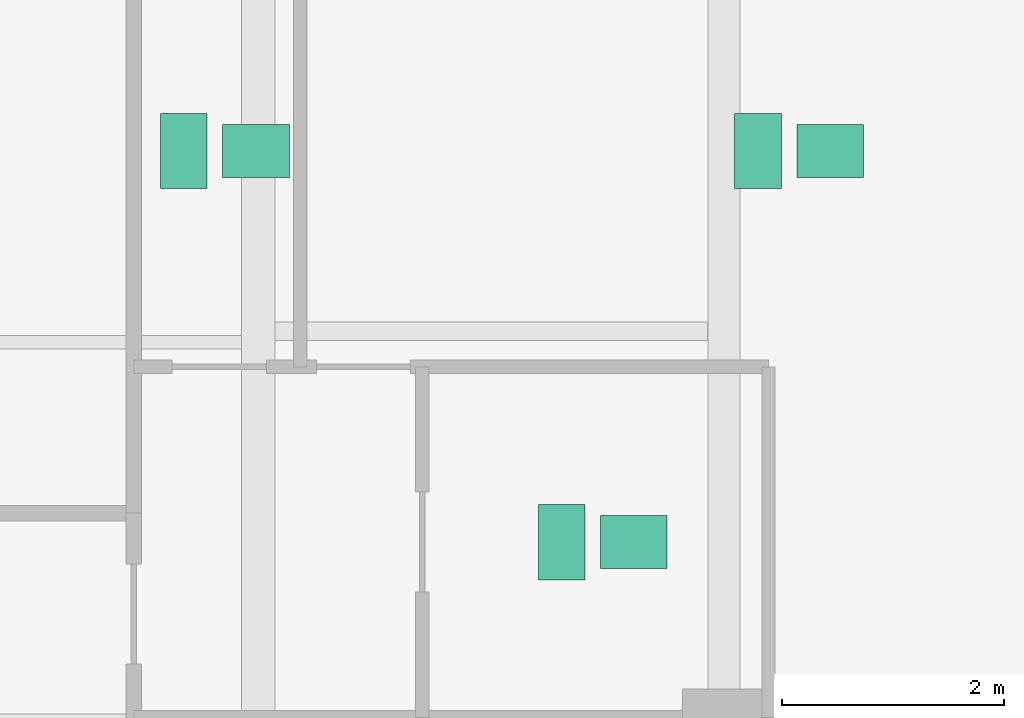
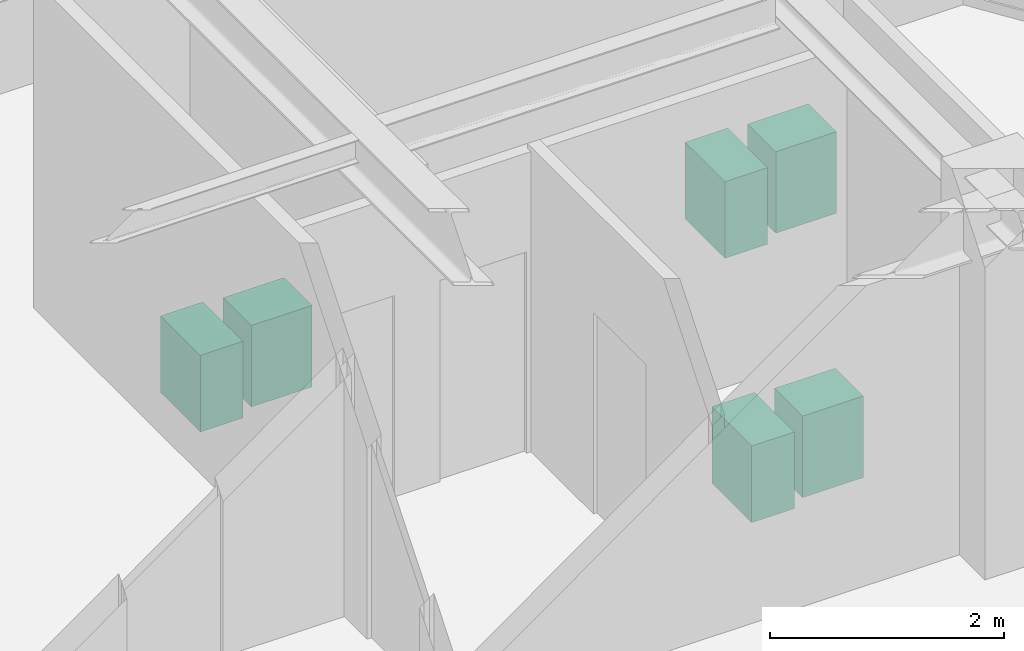
# One storey, part 21 of 21: 6 sanitary terminals.
"""IFC4 building model written with IfcOpenShell, lengths in metres."""

from ifc_helpers import new_model, si_unit, direction, frame, origin, origin_2d, place, context, subcontext, project, spatial, rectangle, extrude, source, transform, mapped, material, type_object, type_shapes, element, save


model = new_model("IFC4")

# Units and contexts
model_context = context("Model", 3, precision=1e-05, world=origin(), true_north=direction((0.0, 1.0)))
body_context = subcontext(model_context, "Body", "Model", "MODEL_VIEW")
ifc_project = project(units=[si_unit("LENGTHUNIT", "METRE"), si_unit("AREAUNIT", "SQUARE_METRE"), si_unit("VOLUMEUNIT", "CUBIC_METRE"), si_unit("PLANEANGLEUNIT", "RADIAN"), si_unit("MASSUNIT", "GRAM", prefix="KILO")], contexts=[model_context])

# Site, building, storey
site_placement = place(None, origin())
site = spatial("IfcSite", under=ifc_project, at=site_placement, CompositionType="ELEMENT")
building_placement = place(site_placement, origin())
building = spatial("IfcBuilding", under=site, at=building_placement, Name="Krantzveldt Concourse Tower", CompositionType="ELEMENT")
storey_placement = place(building_placement, frame((0.0, 0.0, 271.35009765625)))
storey = spatial("IfcBuildingStorey", under=building, at=storey_placement, Name="L66", CompositionType="ELEMENT", Elevation=271.35009765625)

# Sanitary terminals
ifc_material = material(Name="Vitreous china", Category="ceramic")
sanitary_terminal_type_1 = type_object("IfcSanitaryTerminalType", Name="SAN-WC-SUITE", PredefinedType="TOILETPAN", material=ifc_material)
shared_shape_1 = source(origin(), body_context, "Body", "SweptSolid", [
    extrude(rectangle(XDim=0.419921875, YDim=0.679931640625, at=origin_2d()), origin(), (0.0, 0.0, 1.0), 0.800048828125),
])
type_shapes(sanitary_terminal_type_1, [shared_shape_1])
for number, where, z_axis, x_axis, name in (
    (1, (51.305908203125, 31.925048828125, 0.0), (0.0, 0.0, 1.0), (1.0, 0.0, 0.0), "WC-SP-L66-WCM"),
    (2, (46.1298828125, 31.925048828125, 0.0), (0.0, 0.0, 1.0), (1.0, 0.0, 0.0), "WC-SP-L66-WCF"),
    (3, (49.534912109375, 28.39990234375, 0.0), (0.0, 0.0, 1.0), (1.0, 0.0, 0.0), "WC-SP-L66-WCA"),
):
    element("IfcSanitaryTerminal", number, at=place(storey_placement, frame(where, z_axis=z_axis, x_axis=x_axis)), inside=storey, type_object=sanitary_terminal_type_1, Name=name, PredefinedType="TOILETPAN", context=body_context, shape_type="MappedRepresentation", body=[
        mapped(shared_shape_1, transform((0.0, 0.0, 0.0), x_axis=(1.0, 0.0, 0.0), y_axis=(0.0, 1.0, 0.0), z_axis=(0.0, 0.0, 1.0), scale=1.0)),
    ])
sanitary_terminal_type_2 = type_object("IfcSanitaryTerminalType", Name="SAN-BASIN-600", PredefinedType="WASHHANDBASIN", material=ifc_material)
shared_shape_2 = source(origin(), body_context, "Body", "SweptSolid", [
    extrude(rectangle(XDim=0.60009765625, YDim=0.47998046875, at=origin_2d()), origin(), (0.0, 0.0, 1.0), 0.85009765625),
])
type_shapes(sanitary_terminal_type_2, [shared_shape_2])
for number, where, z_axis, x_axis, name in (
    (4, (51.9560546875, 31.925048828125, 0.0048828125), (0.0, 0.0, 1.0), (1.0, 0.0, 0.0), "BSN-SP-L66-WCM"),
    (5, (46.780029296875, 31.925048828125, 0.0048828125), (0.0, 0.0, 1.0), (1.0, 0.0, 0.0), "BSN-SP-L66-WCF"),
    (6, (50.18505859375, 28.39990234375, 0.0048828125), (0.0, 0.0, 1.0), (1.0, 0.0, 0.0), "BSN-SP-L66-WCA"),
):
    element("IfcSanitaryTerminal", number, at=place(storey_placement, frame(where, z_axis=z_axis, x_axis=x_axis)), inside=storey, type_object=sanitary_terminal_type_2, Name=name, PredefinedType="WASHHANDBASIN", context=body_context, shape_type="MappedRepresentation", body=[
        mapped(shared_shape_2, transform((0.0, 0.0, 0.0), x_axis=(1.0, 0.0, 0.0), y_axis=(0.0, 1.0, 0.0), z_axis=(0.0, 0.0, 1.0), scale=1.0)),
    ])

save(model, "model.ifc")
